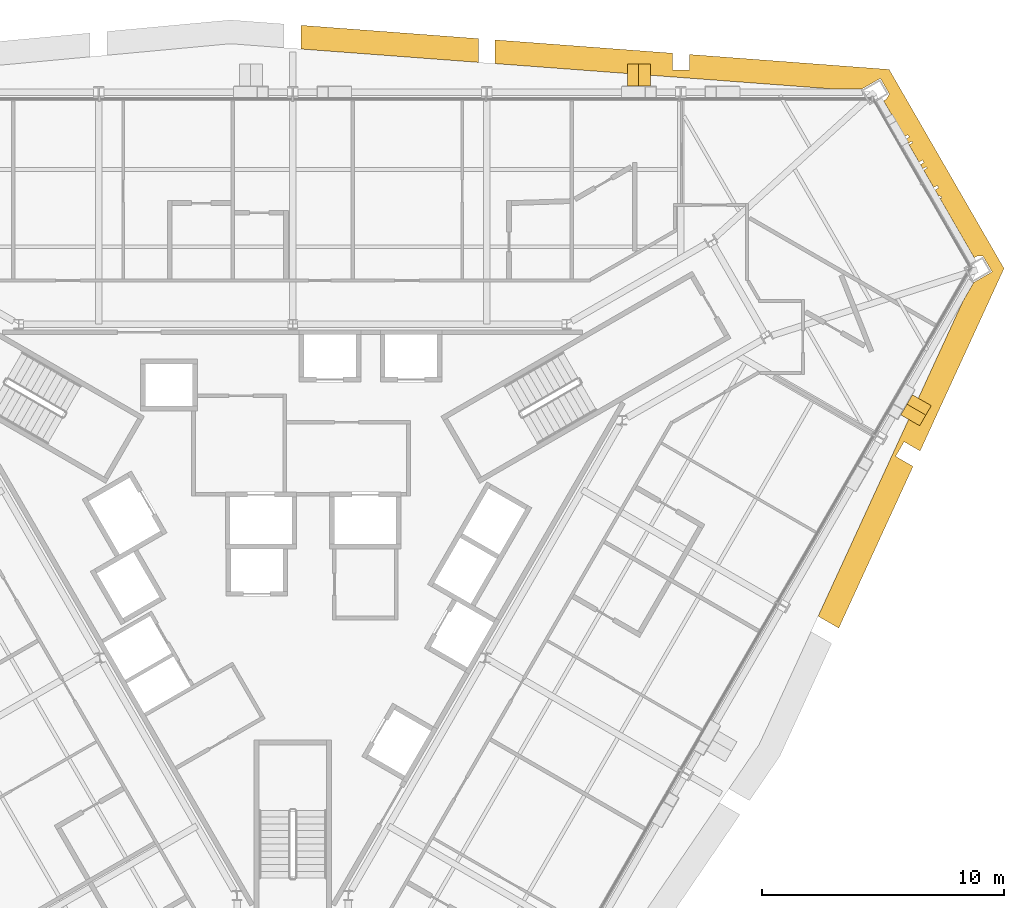
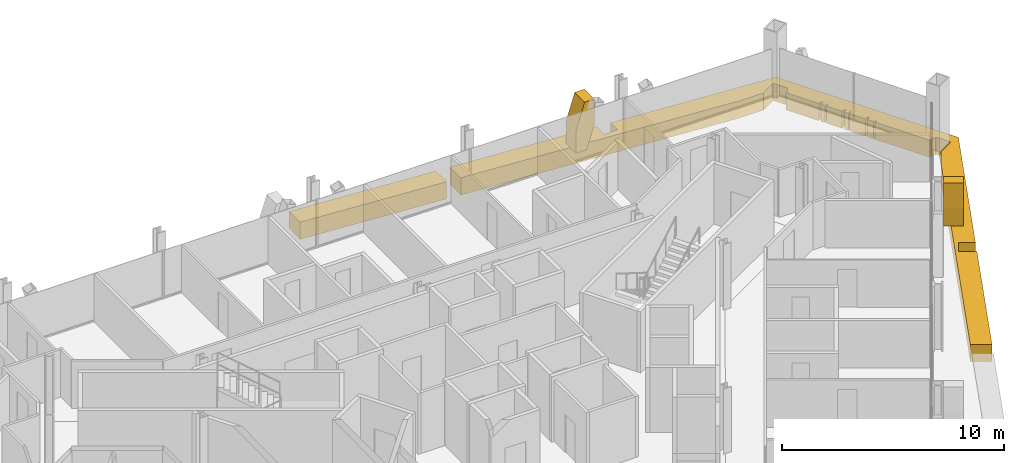
# One storey, part 16 of 16: 4 coverings.
"""IFC4 building model written with IfcOpenShell, lengths in metres."""

from ifc_helpers import new_model, si_unit, direction, frame, origin, place, context, subcontext, project, spatial, polyline, outline, extrude, material, layer, layer_set, type_object, element, save


model = new_model("IFC4")

# Units and contexts
model_context = context("Model", 3, precision=1e-05, world=origin(), true_north=direction((0.0, 1.0)))
body_context = subcontext(model_context, "Body", "Model", "MODEL_VIEW")
ifc_project = project(units=[si_unit("LENGTHUNIT", "METRE"), si_unit("AREAUNIT", "SQUARE_METRE"), si_unit("VOLUMEUNIT", "CUBIC_METRE"), si_unit("PLANEANGLEUNIT", "RADIAN"), si_unit("MASSUNIT", "GRAM", prefix="KILO")], contexts=[model_context])

# Site, building, storey
site_placement = place(None, origin())
site = spatial("IfcSite", under=ifc_project, at=site_placement, CompositionType="ELEMENT")
building_placement = place(site_placement, origin())
building = spatial("IfcBuilding", under=site, at=building_placement, Name="Verrane Prism Tower", CompositionType="ELEMENT")
storey_placement = place(building_placement, frame((0.0, 0.0, 110.800048828125)))
storey = spatial("IfcBuildingStorey", under=building, at=storey_placement, Name="L26", CompositionType="ELEMENT", Elevation=110.800048828125)

# Coverings
ifc_material_1 = material(Name="Warm limestone cladding", Category="masonry")
ifc_layer_1 = layer(ifc_material_1, 0.89990234375)
ifc_layer_set_1 = layer_set([ifc_layer_1], Name="Stone brace fin 900")
covering_type_1 = type_object("IfcCoveringType", Name="Stone brace fin 900", PredefinedType="CLADDING", material=ifc_layer_set_1)
covering_1_placement = place(storey_placement, frame((13.8427734375, 19.493896484375, 0.0), z_axis=(0.0, 0.0, 1.0), x_axis=(1.0, 0.0, 0.0)))
element("IfcCovering", 1, at=covering_1_placement, inside=storey, type_object=covering_type_1, Name="Stone brace fin N2 L26", PredefinedType="CLADDING", context=body_context, shape_type="SweptSolid", body=[
    extrude(outline(polyline([(0.95751953125, 2.64990234375), (0.448486328125, 2.64990234375), (0.0, 1.2412109375), (0.0, 0.0), (0.549560546875, 0.0), (0.95751953125, 1.28173828125), (0.95751953125, 2.64990234375)])), frame((0.0, 0.449951171875, 0.0), z_axis=(0.0, -1.0, 0.0), x_axis=(1.0, 0.0, 0.0)), (0.0, 0.0, 1.0), 0.89990234375),
])
covering_2_placement = place(storey_placement, frame((26.00830078125, 6.05224609375, 0.0), z_axis=(0.0, 0.0, 1.0), x_axis=(-0.49964888903, -0.86622802292, 0.0)))
element("IfcCovering", 2, at=covering_2_placement, inside=storey, type_object=covering_type_1, Name="Stone brace fin SE6 L26", PredefinedType="CLADDING", context=body_context, shape_type="SweptSolid", body=[
    extrude(outline(polyline([(0.957763671875, 2.64990234375), (0.44873046875, 2.64990234375), (0.0, 1.240478515625), (0.0, 0.0), (0.549560546875, 0.0), (0.957763671875, 1.282470703125), (0.957763671875, 2.64990234375)])), frame((0.0, 0.449951171875, 0.0), z_axis=(0.0, -1.0, 0.0), x_axis=(1.0, 0.0, 0.0)), (0.0, 0.0, 1.0), 0.89990234375),
])
ifc_material_2 = material(Name="Warm limestone cladding", Category="masonry")
ifc_layer_2 = layer(ifc_material_2, 0.449951171875)
ifc_layer_set_2 = layer_set([ifc_layer_2], Name="Stone spandrel band 450")
covering_type_2 = type_object("IfcCoveringType", Name="Stone spandrel band 450", PredefinedType="CLADDING", material=ifc_layer_set_2)
covering_3_placement = place(storey_placement, frame((0.0, 0.0, -0.949951171875)))
element("IfcCovering", 3, at=covering_3_placement, inside=storey, type_object=covering_type_2, Name="Stone spandrel band L26 part 2", PredefinedType="CLADDING", context=body_context, shape_type="SweptSolid", body=[
    extrude(outline(polyline([(8.372314453125, 20.949462890625), (8.372314453125, 19.968505859375), (22.29150390625, 18.92333984375), (23.541015625, 18.92333984375), (24.295654296875, 19.359130859375), (24.67578125, 18.700927734375), (24.65673828125, 18.68994140625), (24.542724609375, 18.495361328125), (24.42919921875, 18.4296875), (25.2861328125, 16.945556640625), (25.432861328125, 17.030517578125), (25.490966796875, 16.929931640625), (25.343994140625, 16.844970703125), (25.444580078125, 16.671142578125), (25.59130859375, 16.756103515625), (25.62646484375, 16.6953125), (25.4794921875, 16.610595703125), (25.8916015625, 15.896728515625), (26.03857421875, 15.981689453125), (26.0966796875, 15.88134765625), (25.94970703125, 15.79638671875), (26.050048828125, 15.622314453125), (26.197265625, 15.70751953125), (26.232177734375, 15.646728515625), (26.0849609375, 15.561767578125), (26.4970703125, 14.84814453125), (26.644287109375, 14.93310546875), (26.702392578125, 14.83251953125), (26.55517578125, 14.74755859375), (26.700927734375, 14.494873046875), (26.83203125, 14.473876953125), (26.81982421875, 14.397705078125), (26.75048828125, 14.40869140625), (28.17529296875, 11.94091796875), (28.291748046875, 12.008056640625), (28.5166015625, 12.008056640625), (28.53564453125, 12.01904296875), (28.915771484375, 11.36083984375), (28.1572265625, 10.923095703125), (27.705078125, 10.1396484375), (21.72314453125, -2.874267578125), (22.573974609375, -3.365478515625), (25.645263671875, 3.31640625), (24.9248046875, 3.732421875), (25.274658203125, 4.338623046875), (25.938720703125, 3.955322265625), (29.406005859375, 11.498779296875), (24.65576171875, 19.726806640625), (16.394775390625, 20.346923828125), (16.394775390625, 19.7099609375), (15.69482421875, 19.7099609375), (15.69482421875, 20.3994140625), (8.372314453125, 20.949462890625)])), origin(), (0.0, 0.0, 1.0), 0.949951171875),
])
covering_4_placement = place(storey_placement, frame((0.0, 0.0, -0.949951171875)))
element("IfcCovering", 4, at=covering_4_placement, inside=storey, type_object=covering_type_2, Name="Stone spandrel band L26 part 8", PredefinedType="CLADDING", context=body_context, shape_type="SweptSolid", body=[
    extrude(outline(polyline([(0.35009765625, 21.5517578125), (0.35009765625, 20.57080078125), (7.67236328125, 20.02099609375), (7.67236328125, 21.001953125), (0.35009765625, 21.5517578125)])), origin(), (0.0, 0.0, 1.0), 0.949951171875),
])

save(model, "model.ifc")
